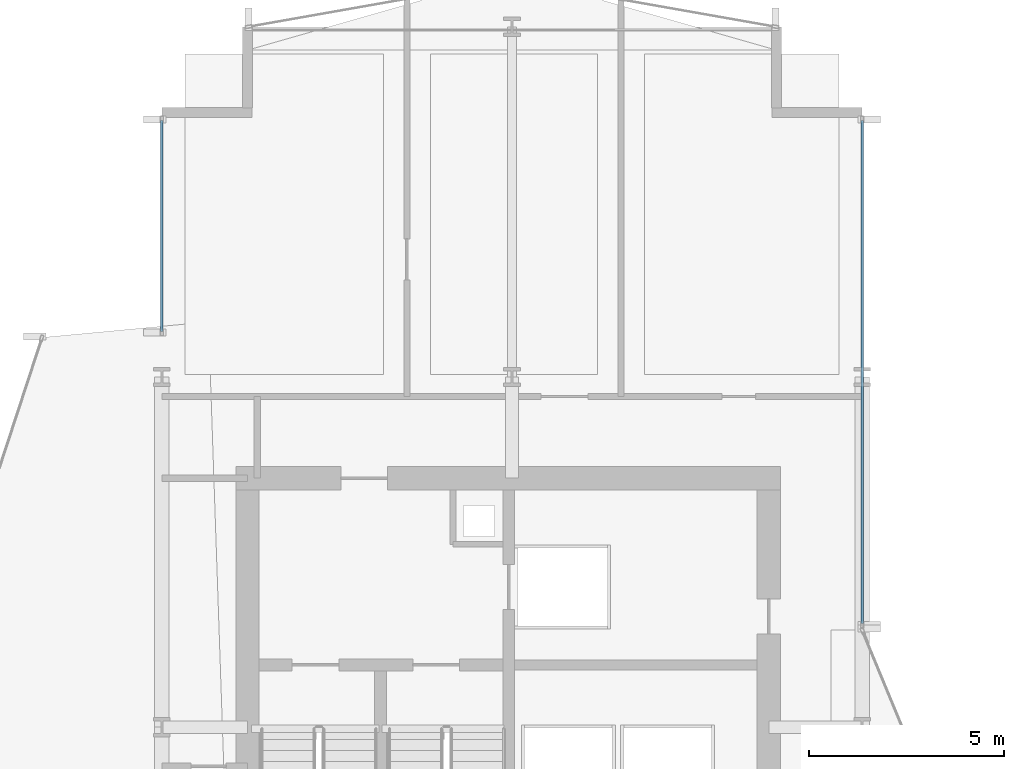
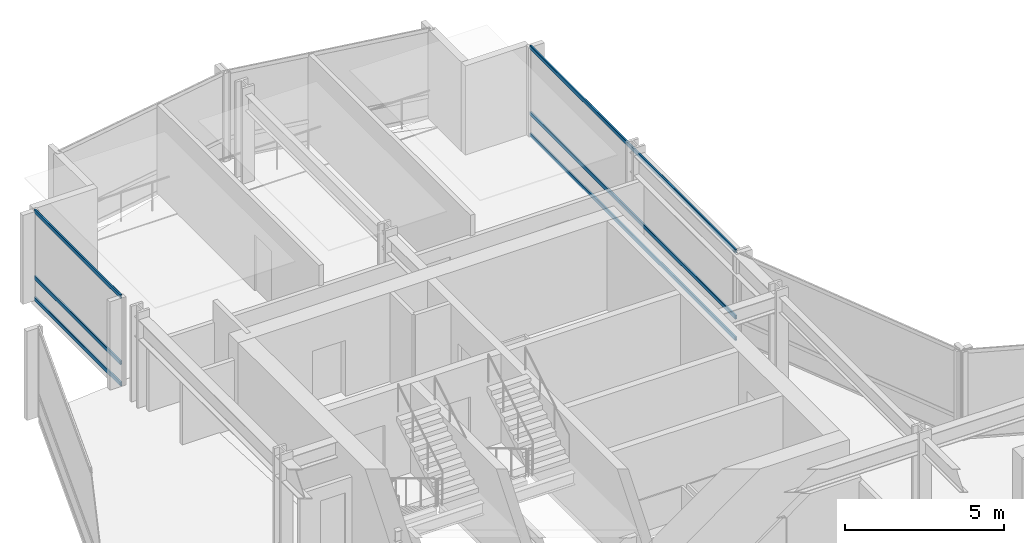
# One storey, part 22 of 34: 6 members, 2 elements without a shape of their own.
"""IFC4 building model written with IfcOpenShell, lengths in metres."""

from ifc_helpers import new_model, si_unit, direction, frame, origin, origin_2d, place, context, subcontext, project, spatial, hollow_rectangle, extrude, material, layer, layer_set, material_profile, profile_set, type_object, element, aggregate, save


model = new_model("IFC4")

# Units and contexts
model_context = context("Model", 3, precision=1e-05, world=origin(), true_north=direction((0.0, 1.0)))
body_context = subcontext(model_context, "Body", "Model", "MODEL_VIEW")
ifc_project = project(units=[si_unit("LENGTHUNIT", "METRE"), si_unit("AREAUNIT", "SQUARE_METRE"), si_unit("VOLUMEUNIT", "CUBIC_METRE"), si_unit("PLANEANGLEUNIT", "RADIAN"), si_unit("MASSUNIT", "GRAM", prefix="KILO")], contexts=[model_context])

# Site, building, storey
site_placement = place(None, origin())
site = spatial("IfcSite", under=ifc_project, at=site_placement, CompositionType="ELEMENT")
building_placement = place(site_placement, origin())
building = spatial("IfcBuilding", under=site, at=building_placement, Name="Solvaryn Broadcast Tower", CompositionType="ELEMENT")
storey_placement = place(building_placement, frame((0.0, 0.0, 43.39990234375)))
storey = spatial("IfcBuildingStorey", under=building, at=storey_placement, Name="L09", CompositionType="ELEMENT", Elevation=43.39990234375)

# Curtain wall, members
ifc_material_1 = material(Name="Aluminium and Terracotta Unitised Curtain Wall", Category="masonry")
ifc_layer = layer(ifc_material_1, 0.199951171875)
ifc_layer_set = layer_set([ifc_layer], Name="CW-SYS2-LOWMID")
curtain_wall_type = type_object("IfcCurtainWallType", Name="CW-SYS2-LOWMID", PredefinedType="NOTDEFINED", material=ifc_layer_set)
curtain_wall_1_placement = place(storey_placement, origin())
curtain_wall_1 = element("IfcCurtainWall", 1, at=curtain_wall_1_placement, inside=storey, type_object=curtain_wall_type, Name="L09 Curtain Wall W2", PredefinedType="NOTDEFINED")
ifc_material_2 = material(Name="Anodised Aluminium 6063-T6", Category="aluminium")
ifc_material_profile = material_profile(ifc_material_2, hollow_rectangle(XDim=0.06494140625, YDim=0.14990234375, WallThickness=0.00390625, InnerFilletRadius=0.00390625, OuterFilletRadius=0.008056640625, at=origin_2d()))
ifc_profile_set = profile_set([ifc_material_profile], Name="Anodised Aluminium 6063-T6")
member_type = type_object("IfcMemberType", Name="CW-TRN-150", PredefinedType="USERDEFINED", material=ifc_profile_set)
member_1_placement = place(storey_placement, frame((9.0, 46.176025390625, 0.030029296875), z_axis=(0.0, 1.0, 0.0), x_axis=(-1.0, 0.0, 0.0)))
member_1 = element("IfcMember", 2, at=member_1_placement, type_object=member_type, Name="CWS2 transom 1.1", ObjectType="TRANSOM", PredefinedType="USERDEFINED", context=body_context, shape_type="SweptSolid", body=[
    extrude(hollow_rectangle(XDim=0.06494140625, YDim=0.14990234375, WallThickness=0.00390625, InnerFilletRadius=0.00390625, OuterFilletRadius=0.008056640625, at=origin_2d()), origin(), (0.0, 0.0, 1.0), 5.4140625),
])
member_2_placement = place(storey_placement, frame((9.0, 46.176025390625, 0.85009765625), z_axis=(0.0, 1.0, 0.0), x_axis=(-1.0, 0.0, 0.0)))
member_2 = element("IfcMember", 3, at=member_2_placement, type_object=member_type, Name="CWS2 transom 1.2", ObjectType="TRANSOM", PredefinedType="USERDEFINED", context=body_context, shape_type="SweptSolid", body=[
    extrude(hollow_rectangle(XDim=0.06494140625, YDim=0.14990234375, WallThickness=0.00390625, InnerFilletRadius=0.00390625, OuterFilletRadius=0.008056640625, at=origin_2d()), origin(), (0.0, 0.0, 1.0), 5.4140625),
])
member_3_placement = place(storey_placement, frame((9.0, 46.176025390625, 3.39013671875), z_axis=(0.0, 1.0, 0.0), x_axis=(-1.0, 0.0, 0.0)))
member_3 = element("IfcMember", 4, at=member_3_placement, type_object=member_type, Name="CWS2 transom 1.3", ObjectType="TRANSOM", PredefinedType="USERDEFINED", context=body_context, shape_type="SweptSolid", body=[
    extrude(hollow_rectangle(XDim=0.06494140625, YDim=0.14990234375, WallThickness=0.00390625, InnerFilletRadius=0.00390625, OuterFilletRadius=0.008056640625, at=origin_2d()), origin(), (0.0, 0.0, 1.0), 5.4140625),
])
aggregate(curtain_wall_1, [member_1, member_2, member_3])

curtain_wall_2_placement = place(storey_placement, origin())
curtain_wall_2 = element("IfcCurtainWall", 5, at=curtain_wall_2_placement, inside=storey, type_object=curtain_wall_type, Name="L09 Curtain Wall IV", PredefinedType="NOTDEFINED")
member_4_placement = place(storey_placement, frame((27.0, 51.590087890625, 0.030029296875), z_axis=(0.0, -1.0, 0.0), x_axis=(1.0, 0.0, 0.0)))
member_4 = element("IfcMember", 6, at=member_4_placement, type_object=member_type, Name="CWS2 transom 1.1", ObjectType="TRANSOM", PredefinedType="USERDEFINED", context=body_context, shape_type="SweptSolid", body=[
    extrude(hollow_rectangle(XDim=0.06494140625, YDim=0.14990234375, WallThickness=0.00390625, InnerFilletRadius=0.00390625, OuterFilletRadius=0.008056640625, at=origin_2d()), origin(), (0.0, 0.0, 1.0), 12.93017578125),
])
member_5_placement = place(storey_placement, frame((27.0, 51.590087890625, 0.85009765625), z_axis=(0.0, -1.0, 0.0), x_axis=(1.0, 0.0, 0.0)))
member_5 = element("IfcMember", 7, at=member_5_placement, type_object=member_type, Name="CWS2 transom 1.2", ObjectType="TRANSOM", PredefinedType="USERDEFINED", context=body_context, shape_type="SweptSolid", body=[
    extrude(hollow_rectangle(XDim=0.06494140625, YDim=0.14990234375, WallThickness=0.00390625, InnerFilletRadius=0.00390625, OuterFilletRadius=0.008056640625, at=origin_2d()), origin(), (0.0, 0.0, 1.0), 12.93017578125),
])
member_6_placement = place(storey_placement, frame((27.0, 51.590087890625, 3.39013671875), z_axis=(0.0, -1.0, 0.0), x_axis=(1.0, 0.0, 0.0)))
member_6 = element("IfcMember", 8, at=member_6_placement, type_object=member_type, Name="CWS2 transom 1.3", ObjectType="TRANSOM", PredefinedType="USERDEFINED", context=body_context, shape_type="SweptSolid", body=[
    extrude(hollow_rectangle(XDim=0.06494140625, YDim=0.14990234375, WallThickness=0.00390625, InnerFilletRadius=0.00390625, OuterFilletRadius=0.008056640625, at=origin_2d()), origin(), (0.0, 0.0, 1.0), 12.93017578125),
])
aggregate(curtain_wall_2, [member_4, member_5, member_6])

save(model, "model.ifc")
